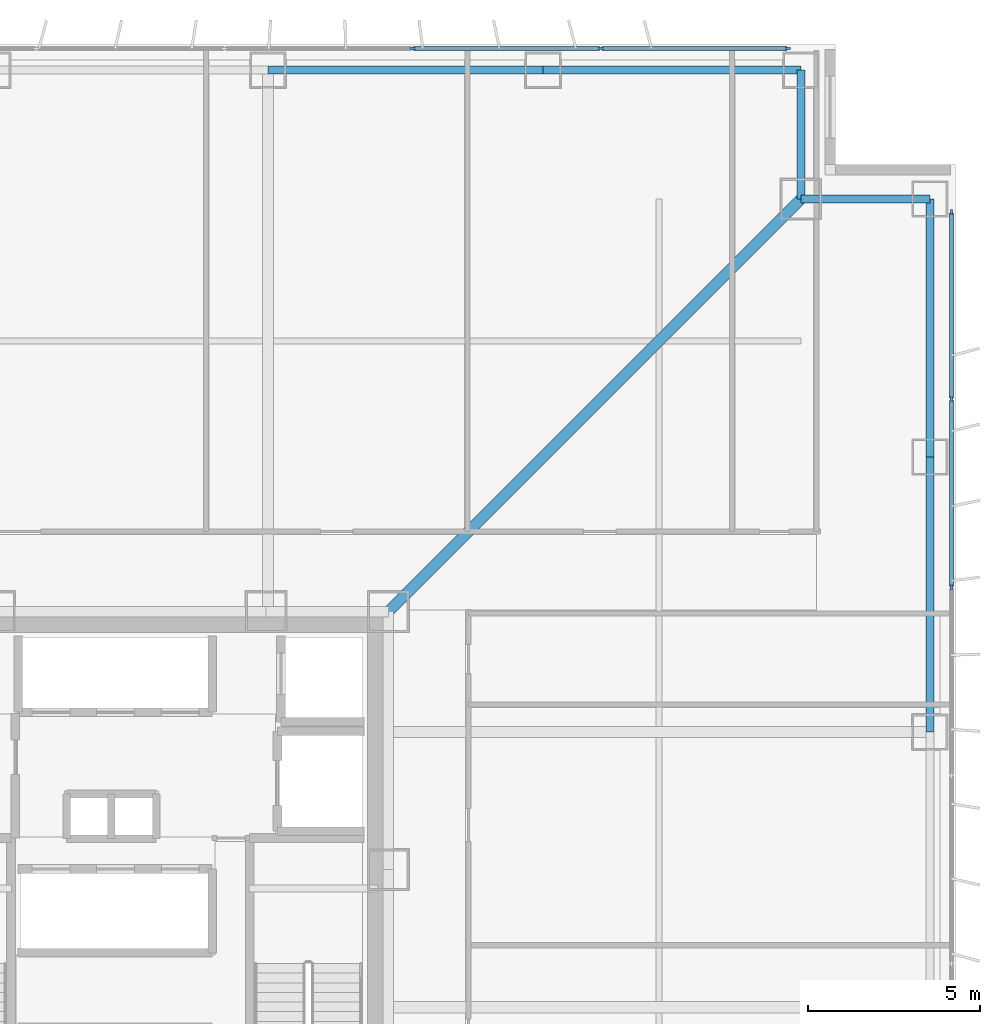
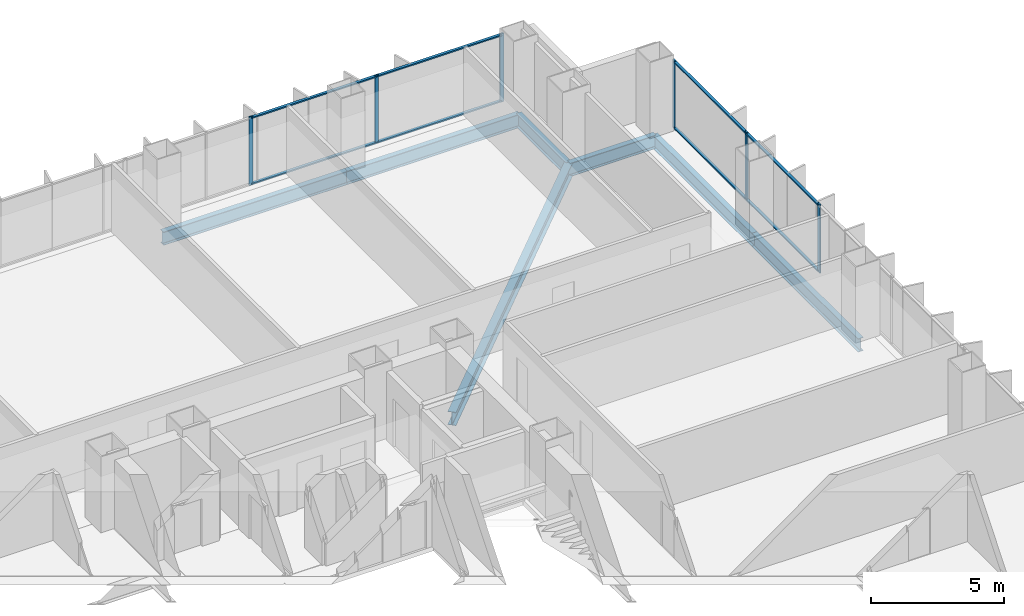
# One storey, part 12 of 19: 14 members, 7 beams, 2 elements without a shape of their own.
"""IFC4 building model written with IfcOpenShell, lengths in metres."""

from ifc_helpers import new_model, si_unit, direction, frame, origin, origin_2d, place, context, subcontext, project, spatial, rectangle, i_section, extrude, material, layer, layer_set, material_profile, profile_set, type_object, element, aggregate, save


model = new_model("IFC4")

# Units and contexts
model_context = context("Model", 3, precision=1e-05, world=origin(), true_north=direction((0.0, 1.0)))
body_context = subcontext(model_context, "Body", "Model", "MODEL_VIEW")
ifc_project = project(units=[si_unit("LENGTHUNIT", "METRE"), si_unit("AREAUNIT", "SQUARE_METRE"), si_unit("VOLUMEUNIT", "CUBIC_METRE"), si_unit("PLANEANGLEUNIT", "RADIAN"), si_unit("MASSUNIT", "GRAM", prefix="KILO")], contexts=[model_context])

# Site, building, storey
site_placement = place(None, origin())
site = spatial("IfcSite", under=ifc_project, at=site_placement, CompositionType="ELEMENT")
building_placement = place(site_placement, origin())
building = spatial("IfcBuilding", under=site, at=building_placement, Name="Trevonay Congress Spire", CompositionType="ELEMENT")
storey_placement = place(building_placement, frame((0.0, 0.0, 79.5)))
storey = spatial("IfcBuildingStorey", under=building, at=storey_placement, Name="L20", CompositionType="ELEMENT", Elevation=79.5)

# Beams
ifc_material_1 = material(Name="Steel ASTM A572 Grade 50", Category="steel")
ifc_material_profile_1 = material_profile(ifc_material_1, i_section(OverallWidth=0.324951171875, OverallDepth=0.615966796875, WebThickness=0.013916015625, FlangeThickness=0.021484375, FilletRadius=0.01806640625, at=origin_2d()), Name="W610x174")
ifc_profile_set_1 = profile_set([ifc_material_profile_1], Name="Steel ASTM A572 Grade 50")
beam_type_1 = type_object("IfcBeamType", Name="BM-GIRD-W610X174", PredefinedType="BEAM", material=ifc_profile_set_1)
beam_placement = place(storey_placement, frame((7.5, 7.5, -0.55810546875), z_axis=(0.707106781187, 0.707106781187, 0.0), x_axis=(-0.707106781187, 0.707106781187, 0.0)))
element("IfcBeam", 1, at=beam_placement, inside=storey, type_object=beam_type_1, Name="L20 structural beam BM-L20-CDNE", PredefinedType="BEAM", context=body_context, shape_type="SweptSolid", body=[
    extrude(i_section(OverallWidth=0.324951171875, OverallDepth=0.615966796875, WebThickness=0.013916015625, FlangeThickness=0.021484375, FilletRadius=0.01806640625, at=origin_2d()), origin(), (0.0, 0.0, 1.0), 16.970458984375),
])
ifc_material_profile_2 = material_profile(ifc_material_1, i_section(OverallWidth=0.22998046875, OverallDepth=0.616943359375, WebThickness=0.01318359375, FlangeThickness=0.022216796875, FilletRadius=0.01611328125, at=origin_2d()), Name="W610x140")
ifc_profile_set_2 = profile_set([ifc_material_profile_2], Name="Steel ASTM A572 Grade 50")
beam_type_2 = type_object("IfcBeamType", Name="BM-RING-W610X140", PredefinedType="BEAM", material=ifc_profile_set_2)
for number, where, z_axis, x_axis, name in (
    (2, (4.0, 23.25, -0.55859375), (1.0, 0.0, 0.0), (0.0, 1.0, 0.0), "L20 structural beam BM-L20-PN4"),
    (3, (23.25, 4.0, -0.55859375), (0.0, 1.0, 0.0), (-1.0, 0.0, 0.0), "L20 structural beam BM-L20-PE4"),
):
    element("IfcBeam", number, at=place(storey_placement, frame(where, z_axis=z_axis, x_axis=x_axis)), inside=storey, type_object=beam_type_2, Name=name, PredefinedType="BEAM", context=body_context, shape_type="SweptSolid", body=[
        extrude(i_section(OverallWidth=0.22998046875, OverallDepth=0.616943359375, WebThickness=0.01318359375, FlangeThickness=0.022216796875, FilletRadius=0.01611328125, at=origin_2d()), origin(), (0.0, 0.0, 1.0), 8.0),
    ])
for number, where, z_axis, x_axis, name in (
    (4, (12.0, 23.25, -0.55859375), (1.0, 0.0, 0.0), (0.0, 1.0, 0.0), "L20 structural beam BM-L20-PN5"),
    (5, (23.25, 12.0, -0.55859375), (0.0, 1.0, 0.0), (-1.0, 0.0, 0.0), "L20 structural beam BM-L20-PE5"),
):
    element("IfcBeam", number, at=place(storey_placement, frame(where, z_axis=z_axis, x_axis=x_axis)), inside=storey, type_object=beam_type_2, Name=name, PredefinedType="BEAM", context=body_context, shape_type="SweptSolid", body=[
        extrude(i_section(OverallWidth=0.22998046875, OverallDepth=0.616943359375, WebThickness=0.01318359375, FlangeThickness=0.022216796875, FilletRadius=0.01611328125, at=origin_2d()), origin(), (0.0, 0.0, 1.0), 7.5),
    ])
for number, where, z_axis, x_axis, name in (
    (6, (19.5, 23.25, -0.55859375), (0.0, -1.0, 0.0), (1.0, 0.0, 0.0), "L20 structural beam BM-L20-N1NE"),
    (7, (23.25, 19.5, -0.55859375), (-1.0, 0.0, 0.0), (0.0, -1.0, 0.0), "L20 structural beam BM-L20-N2NE"),
):
    element("IfcBeam", number, at=place(storey_placement, frame(where, z_axis=z_axis, x_axis=x_axis)), inside=storey, type_object=beam_type_2, Name=name, PredefinedType="BEAM", context=body_context, shape_type="SweptSolid", body=[
        extrude(i_section(OverallWidth=0.22998046875, OverallDepth=0.616943359375, WebThickness=0.01318359375, FlangeThickness=0.022216796875, FilletRadius=0.01611328125, at=origin_2d()), origin(), (0.0, 0.0, 1.0), 3.75),
    ])

# Curtain wall, members
ifc_material_2 = material(Name="Pale Anodised Aluminium EN AW-6063-T6", Category="aluminium")
ifc_layer = layer(ifc_material_2, 0.179931640625, Name="Pale Anodised Aluminium EN AW-6063-T6")
ifc_layer_set = layer_set([ifc_layer], Name="Pale Anodised Aluminium EN AW-6063-T6")
curtain_wall_type = type_object("IfcCurtainWallType", Name="CW-SYS02-HOTEL-PALE-METAL", PredefinedType="NOTDEFINED", material=ifc_layer_set)
curtain_wall_1_placement = place(storey_placement, origin())
curtain_wall_1 = element("IfcCurtainWall", 8, at=curtain_wall_1_placement, inside=storey, type_object=curtain_wall_type, Name="L20 N unitised curtain wall", PredefinedType="NOTDEFINED")
ifc_material_profile_3 = material_profile(ifc_material_2, rectangle(XDim=0.06005859375, YDim=0.159912109375, at=origin_2d()), Name="CW-MULLION-160-ALUMINIUM")
ifc_profile_set_3 = profile_set([ifc_material_profile_3], Name="Pale Anodised Aluminium EN AW-6063-T6")
member_type_1 = type_object("IfcMemberType", Name="CW-MULLION-160-ALUMINIUM", PredefinedType="MULLION", material=ifc_profile_set_3)
member_1_placement = place(storey_placement, frame((8.20703125, 23.8798828125, 0.0), z_axis=(0.0, 0.0, 1.0), x_axis=(0.0, 1.0, 0.0)))
member_1 = element("IfcMember", 9, at=member_1_placement, type_object=member_type_1, Name="CW02 mullion 6", PredefinedType="MULLION", context=body_context, shape_type="SweptSolid", body=[
    extrude(rectangle(XDim=0.06005859375, YDim=0.159912109375, at=origin_2d()), origin(), (0.0, 0.0, 1.0), 3.14990234375),
])
member_2_placement = place(storey_placement, frame((13.678466796875, 23.8798828125, 0.0), z_axis=(0.0, 0.0, 1.0), x_axis=(0.0, 1.0, 0.0)))
member_2 = element("IfcMember", 10, at=member_2_placement, type_object=member_type_1, Name="CW02 mullion 7", PredefinedType="MULLION", context=body_context, shape_type="SweptSolid", body=[
    extrude(rectangle(XDim=0.06005859375, YDim=0.159912109375, at=origin_2d()), origin(), (0.0, 0.0, 1.0), 3.14990234375),
])
member_3_placement = place(storey_placement, frame((19.1201171875, 23.8798828125, 0.0), z_axis=(0.0, 0.0, 1.0), x_axis=(0.0, 1.0, 0.0)))
member_3 = element("IfcMember", 11, at=member_3_placement, type_object=member_type_1, Name="CW02 mullion 8", PredefinedType="MULLION", context=body_context, shape_type="SweptSolid", body=[
    extrude(rectangle(XDim=0.06005859375, YDim=0.159912109375, at=origin_2d()), origin(), (0.0, 0.0, 1.0), 3.14990234375),
])

curtain_wall_2_placement = place(storey_placement, origin())
curtain_wall_2 = element("IfcCurtainWall", 12, at=curtain_wall_2_placement, inside=storey, type_object=curtain_wall_type, Name="L20 E unitised curtain wall", PredefinedType="NOTDEFINED")
member_4_placement = place(storey_placement, frame((23.8798828125, 8.20703125, 0.0), z_axis=(0.0, 0.0, 1.0), x_axis=(-1.0, 0.0, 0.0)))
member_4 = element("IfcMember", 13, at=member_4_placement, type_object=member_type_1, Name="CW02 mullion 6", PredefinedType="MULLION", context=body_context, shape_type="SweptSolid", body=[
    extrude(rectangle(XDim=0.06005859375, YDim=0.159912109375, at=origin_2d()), origin(), (0.0, 0.0, 1.0), 3.14990234375),
])
member_5_placement = place(storey_placement, frame((23.8798828125, 13.678466796875, 0.0), z_axis=(0.0, 0.0, 1.0), x_axis=(-1.0, 0.0, 0.0)))
member_5 = element("IfcMember", 14, at=member_5_placement, type_object=member_type_1, Name="CW02 mullion 7", PredefinedType="MULLION", context=body_context, shape_type="SweptSolid", body=[
    extrude(rectangle(XDim=0.06005859375, YDim=0.159912109375, at=origin_2d()), origin(), (0.0, 0.0, 1.0), 3.14990234375),
])
member_6_placement = place(storey_placement, frame((23.8798828125, 19.1201171875, 0.0), z_axis=(0.0, 0.0, 1.0), x_axis=(-1.0, 0.0, 0.0)))
member_6 = element("IfcMember", 15, at=member_6_placement, type_object=member_type_1, Name="CW02 mullion 8", PredefinedType="MULLION", context=body_context, shape_type="SweptSolid", body=[
    extrude(rectangle(XDim=0.06005859375, YDim=0.159912109375, at=origin_2d()), origin(), (0.0, 0.0, 1.0), 3.14990234375),
])

# Member
ifc_material_profile_4 = material_profile(ifc_material_2, rectangle(XDim=0.1201171875, YDim=0.06005859375, at=origin_2d()), Name="CW-TRANSOM-120-ALUMINIUM")
ifc_profile_set_4 = profile_set([ifc_material_profile_4], Name="Pale Anodised Aluminium EN AW-6063-T6")
member_type_2 = type_object("IfcMemberType", Name="CW-TRANSOM-120-ALUMINIUM", PredefinedType="USERDEFINED", material=ifc_profile_set_4)
member_7_placement = place(storey_placement, frame((8.237060546875, 23.8798828125, 0.06005859375), z_axis=(1.0, 0.0, 0.0), x_axis=(0.0, 1.0, 0.0)))
member_7 = element("IfcMember", 16, at=member_7_placement, type_object=member_type_2, Name="CW02 transom 6.1", ObjectType="TRANSOM", PredefinedType="USERDEFINED", context=body_context, shape_type="SweptSolid", body=[
    extrude(rectangle(XDim=0.1201171875, YDim=0.06005859375, at=origin_2d()), origin(), (0.0, 0.0, 1.0), 5.41162109375),
])

member_8_placement = place(storey_placement, frame((8.237060546875, 23.8798828125, 3.090087890625), z_axis=(1.0, 0.0, 0.0), x_axis=(0.0, 1.0, 0.0)))
member_8 = element("IfcMember", 17, at=member_8_placement, type_object=member_type_2, Name="CW02 transom 6.2", ObjectType="TRANSOM", PredefinedType="USERDEFINED", context=body_context, shape_type="SweptSolid", body=[
    extrude(rectangle(XDim=0.1201171875, YDim=0.06005859375, at=origin_2d()), origin(), (0.0, 0.0, 1.0), 5.41162109375),
])

member_9_placement = place(storey_placement, frame((13.70849609375, 23.8798828125, 0.06005859375), z_axis=(1.0, 0.0, 0.0), x_axis=(0.0, 1.0, 0.0)))
member_9 = element("IfcMember", 18, at=member_9_placement, type_object=member_type_2, Name="CW02 transom 7.1", ObjectType="TRANSOM", PredefinedType="USERDEFINED", context=body_context, shape_type="SweptSolid", body=[
    extrude(rectangle(XDim=0.1201171875, YDim=0.06005859375, at=origin_2d()), origin(), (0.0, 0.0, 1.0), 5.381591796875),
])

member_10_placement = place(storey_placement, frame((13.70849609375, 23.8798828125, 3.090087890625), z_axis=(1.0, 0.0, 0.0), x_axis=(0.0, 1.0, 0.0)))
member_10 = element("IfcMember", 19, at=member_10_placement, type_object=member_type_2, Name="CW02 transom 7.2", ObjectType="TRANSOM", PredefinedType="USERDEFINED", context=body_context, shape_type="SweptSolid", body=[
    extrude(rectangle(XDim=0.1201171875, YDim=0.06005859375, at=origin_2d()), origin(), (0.0, 0.0, 1.0), 5.381591796875),
])

aggregate(curtain_wall_1, [member_1, member_2, member_3, member_7, member_8, member_9, member_10])

member_11_placement = place(storey_placement, frame((23.8798828125, 8.237060546875, 0.06005859375), z_axis=(0.0, 1.0, 0.0), x_axis=(-1.0, 0.0, 0.0)))
member_11 = element("IfcMember", 20, at=member_11_placement, type_object=member_type_2, Name="CW02 transom 6.1", ObjectType="TRANSOM", PredefinedType="USERDEFINED", context=body_context, shape_type="SweptSolid", body=[
    extrude(rectangle(XDim=0.1201171875, YDim=0.06005859375, at=origin_2d()), origin(), (0.0, 0.0, 1.0), 5.41162109375),
])

member_12_placement = place(storey_placement, frame((23.8798828125, 8.237060546875, 3.090087890625), z_axis=(0.0, 1.0, 0.0), x_axis=(-1.0, 0.0, 0.0)))
member_12 = element("IfcMember", 21, at=member_12_placement, type_object=member_type_2, Name="CW02 transom 6.2", ObjectType="TRANSOM", PredefinedType="USERDEFINED", context=body_context, shape_type="SweptSolid", body=[
    extrude(rectangle(XDim=0.1201171875, YDim=0.06005859375, at=origin_2d()), origin(), (0.0, 0.0, 1.0), 5.41162109375),
])

member_13_placement = place(storey_placement, frame((23.8798828125, 13.70849609375, 0.06005859375), z_axis=(0.0, 1.0, 0.0), x_axis=(-1.0, 0.0, 0.0)))
member_13 = element("IfcMember", 22, at=member_13_placement, type_object=member_type_2, Name="CW02 transom 7.1", ObjectType="TRANSOM", PredefinedType="USERDEFINED", context=body_context, shape_type="SweptSolid", body=[
    extrude(rectangle(XDim=0.1201171875, YDim=0.06005859375, at=origin_2d()), origin(), (0.0, 0.0, 1.0), 5.381591796875),
])

member_14_placement = place(storey_placement, frame((23.8798828125, 13.70849609375, 3.090087890625), z_axis=(0.0, 1.0, 0.0), x_axis=(-1.0, 0.0, 0.0)))
member_14 = element("IfcMember", 23, at=member_14_placement, type_object=member_type_2, Name="CW02 transom 7.2", ObjectType="TRANSOM", PredefinedType="USERDEFINED", context=body_context, shape_type="SweptSolid", body=[
    extrude(rectangle(XDim=0.1201171875, YDim=0.06005859375, at=origin_2d()), origin(), (0.0, 0.0, 1.0), 5.381591796875),
])

aggregate(curtain_wall_2, [member_4, member_5, member_6, member_11, member_12, member_13, member_14])

save(model, "model.ifc")
